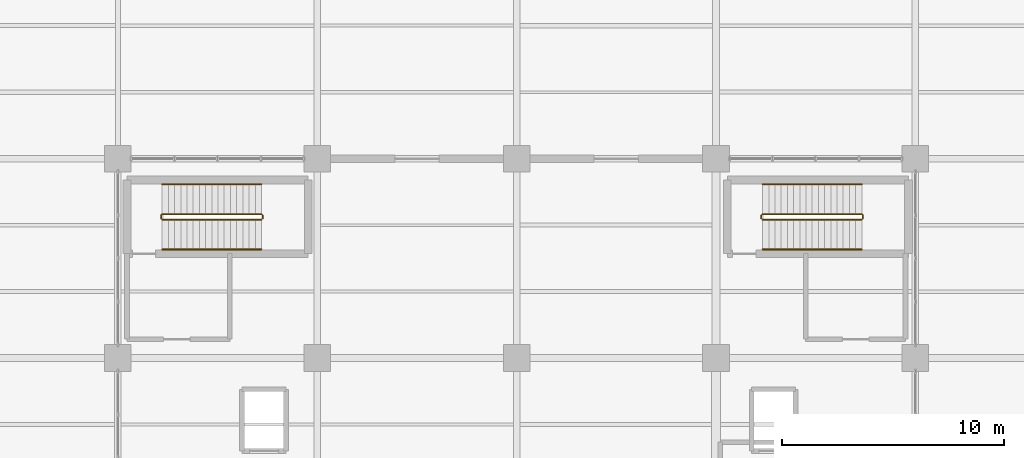
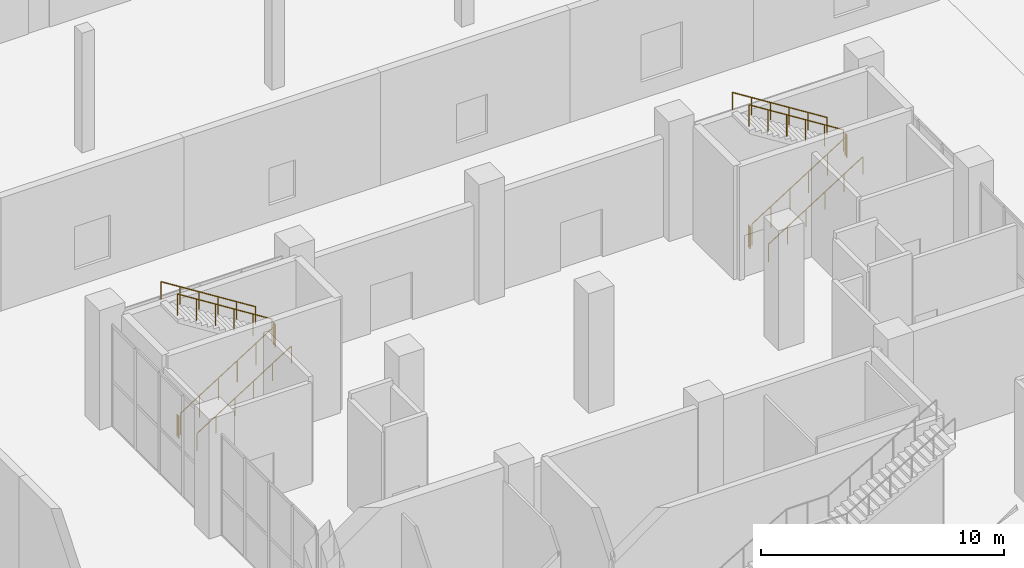
# One storey, part 141 of 144: 12 railings.
"""IFC4 building model written with IfcOpenShell, lengths in metres."""

from ifc_helpers import new_model, si_unit, direction, frame, origin, origin_2d, place, context, subcontext, project, spatial, circle, extrude, material, type_object, element, save


model = new_model("IFC4")

# Units and contexts
model_context = context("Model", 3, precision=1e-05, world=origin(), true_north=direction((0.0, 1.0)))
body_context = subcontext(model_context, "Body", "Model", "MODEL_VIEW")
ifc_project = project(units=[si_unit("LENGTHUNIT", "METRE"), si_unit("AREAUNIT", "SQUARE_METRE"), si_unit("VOLUMEUNIT", "CUBIC_METRE"), si_unit("PLANEANGLEUNIT", "RADIAN"), si_unit("MASSUNIT", "GRAM", prefix="KILO")], contexts=[model_context])

# Site, building, storey
site_placement = place(None, origin())
site = spatial("IfcSite", under=ifc_project, at=site_placement, CompositionType="ELEMENT")
building_placement = place(site_placement, origin())
building = spatial("IfcBuilding", under=site, at=building_placement, Name="Sundgate Opera House", CompositionType="ELEMENT")
storey_placement = place(building_placement, origin())
storey = spatial("IfcBuildingStorey", under=building, at=storey_placement, Name="L00", CompositionType="ELEMENT", Elevation=0.0)

# Railings
ifc_material_1 = material(Name="Painted steel S275 guardrail", Category="steel")
railing_type_1 = type_object("IfcRailingType", Name="RL-STAIR-GUARD-1100", PredefinedType="GUARDRAIL", material=ifc_material_1)
railing_1_placement = place(storey_placement, frame((38.0, 75.25, 0.176513671875)))
element("IfcRailing", 1, at=railing_1_placement, inside=storey, type_object=railing_type_1, Name="ST02L00 Guardrail RL0053", PredefinedType="GUARDRAIL", context=body_context, shape_type="SweptSolid", body=[
    extrude(circle(Radius=0.02392578125, at=origin_2d()), frame((0.0, 0.0, 1.076171875), z_axis=(0.845997938375, 0.0, 0.533186166611), x_axis=(0.0, 1.0, 0.0)), (0.0, 0.0, 1.0), 5.29541015625),
    extrude(circle(Radius=0.02099609375, at=origin_2d()), origin(), (0.0, 0.0, 1.0), 1.052001953125),
    extrude(circle(Radius=0.02099609375, at=origin_2d()), frame((0.89599609375, 0.0, 0.564697265625)), (0.0, 0.0, 1.0), 1.052001953125),
    extrude(circle(Radius=0.02099609375, at=origin_2d()), frame((1.7919921875, 0.0, 1.12939453125)), (0.0, 0.0, 1.0), 1.052001953125),
    extrude(circle(Radius=0.02099609375, at=origin_2d()), frame((2.68798828125, 0.0, 1.694091796875)), (0.0, 0.0, 1.0), 1.052001953125),
    extrude(circle(Radius=0.02099609375, at=origin_2d()), frame((3.583984375, 0.0, 2.2587890625)), (0.0, 0.0, 1.0), 1.052001953125),
    extrude(circle(Radius=0.02099609375, at=origin_2d()), frame((4.47998046875, 0.0, 2.823486328125)), (0.0, 0.0, 1.0), 1.052001953125),
])
railing_2_placement = place(storey_placement, frame((42.530029296875, 75.300048828125, 3.0)))
element("IfcRailing", 2, at=railing_2_placement, inside=storey, type_object=railing_type_1, Name="ST02L00 Guardrail RL0054", PredefinedType="GUARDRAIL", context=body_context, shape_type="SweptSolid", body=[
    extrude(circle(Radius=0.02392578125, at=origin_2d()), frame((0.0, 0.0, 1.076171875), z_axis=(0.0, 1.0, 0.0), x_axis=(-1.0, 0.0, 0.0)), (0.0, 0.0, 1.0), 0.14990234375),
    extrude(circle(Radius=0.02099609375, at=origin_2d()), origin(), (0.0, 0.0, 1.0), 1.052001953125),
    extrude(circle(Radius=0.02099609375, at=origin_2d()), frame((0.0, 0.14990234375, 0.0)), (0.0, 0.0, 1.0), 1.052001953125),
])
railing_3_placement = place(storey_placement, frame((42.47998046875, 75.5, 3.176513671875)))
element("IfcRailing", 3, at=railing_3_placement, inside=storey, type_object=railing_type_1, Name="ST02L00 Guardrail RL0055", PredefinedType="GUARDRAIL", context=body_context, shape_type="SweptSolid", body=[
    extrude(circle(Radius=0.02392578125, at=origin_2d()), frame((0.0, 0.0, 1.076171875), z_axis=(-0.845997938375, 0.0, 0.533186166611), x_axis=(0.0, -1.0, 0.0)), (0.0, 0.0, 1.0), 5.29541015625),
    extrude(circle(Radius=0.02099609375, at=origin_2d()), origin(), (0.0, 0.0, 1.0), 1.052001953125),
    extrude(circle(Radius=0.02099609375, at=origin_2d()), frame((-0.89599609375, 0.0, 0.564697265625)), (0.0, 0.0, 1.0), 1.052001953125),
    extrude(circle(Radius=0.02099609375, at=origin_2d()), frame((-1.7919921875, 0.0, 1.12939453125)), (0.0, 0.0, 1.0), 1.052001953125),
    extrude(circle(Radius=0.02099609375, at=origin_2d()), frame((-2.68798828125, 0.0, 1.694091796875)), (0.0, 0.0, 1.0), 1.052001953125),
    extrude(circle(Radius=0.02099609375, at=origin_2d()), frame((-3.583984375, 0.0, 2.2587890625)), (0.0, 0.0, 1.0), 1.052001953125),
    extrude(circle(Radius=0.02099609375, at=origin_2d()), frame((-4.47998046875, 0.0, 2.823486328125)), (0.0, 0.0, 1.0), 1.052001953125),
])
railing_4_placement = place(storey_placement, frame((37.949951171875, 75.300048828125, 0.0)))
element("IfcRailing", 4, at=railing_4_placement, inside=storey, type_object=railing_type_1, Name="ST02L00 Guardrail RL0056", PredefinedType="GUARDRAIL", context=body_context, shape_type="SweptSolid", body=[
    extrude(circle(Radius=0.02392578125, at=origin_2d()), frame((0.0, 0.0, 1.076171875), z_axis=(0.0, 1.0, 0.0), x_axis=(-1.0, 0.0, 0.0)), (0.0, 0.0, 1.0), 0.14990234375),
    extrude(circle(Radius=0.02099609375, at=origin_2d()), origin(), (0.0, 0.0, 1.0), 1.052001953125),
    extrude(circle(Radius=0.02099609375, at=origin_2d()), frame((0.0, 0.14990234375, 0.0)), (0.0, 0.0, 1.0), 1.052001953125),
])
railing_5_placement = place(storey_placement, frame((65.10009765625, 75.25, 0.176513671875)))
element("IfcRailing", 5, at=railing_5_placement, inside=storey, type_object=railing_type_1, Name="ST04L00 Guardrail RL0139", PredefinedType="GUARDRAIL", context=body_context, shape_type="SweptSolid", body=[
    extrude(circle(Radius=0.02392578125, at=origin_2d()), frame((0.0, 0.0, 1.076171875), z_axis=(0.845997938375, 0.0, 0.533186166611), x_axis=(0.0, 1.0, 0.0)), (0.0, 0.0, 1.0), 5.29541015625),
    extrude(circle(Radius=0.02099609375, at=origin_2d()), origin(), (0.0, 0.0, 1.0), 1.052001953125),
    extrude(circle(Radius=0.02099609375, at=origin_2d()), frame((0.89599609375, 0.0, 0.564697265625)), (0.0, 0.0, 1.0), 1.052001953125),
    extrude(circle(Radius=0.02099609375, at=origin_2d()), frame((1.7919921875, 0.0, 1.12939453125)), (0.0, 0.0, 1.0), 1.052001953125),
    extrude(circle(Radius=0.02099609375, at=origin_2d()), frame((2.68798828125, 0.0, 1.694091796875)), (0.0, 0.0, 1.0), 1.052001953125),
    extrude(circle(Radius=0.02099609375, at=origin_2d()), frame((3.583984375, 0.0, 2.2587890625)), (0.0, 0.0, 1.0), 1.052001953125),
    extrude(circle(Radius=0.02099609375, at=origin_2d()), frame((4.47998046875, 0.0, 2.823486328125)), (0.0, 0.0, 1.0), 1.052001953125),
])
railing_6_placement = place(storey_placement, frame((69.6298828125, 75.300048828125, 3.0)))
element("IfcRailing", 6, at=railing_6_placement, inside=storey, type_object=railing_type_1, Name="ST04L00 Guardrail RL0140", PredefinedType="GUARDRAIL", context=body_context, shape_type="SweptSolid", body=[
    extrude(circle(Radius=0.02392578125, at=origin_2d()), frame((0.0, 0.0, 1.076171875), z_axis=(0.0, 1.0, 0.0), x_axis=(-1.0, 0.0, 0.0)), (0.0, 0.0, 1.0), 0.14990234375),
    extrude(circle(Radius=0.02099609375, at=origin_2d()), origin(), (0.0, 0.0, 1.0), 1.052001953125),
    extrude(circle(Radius=0.02099609375, at=origin_2d()), frame((0.0, 0.14990234375, 0.0)), (0.0, 0.0, 1.0), 1.052001953125),
])
railing_7_placement = place(storey_placement, frame((69.580078125, 75.5, 3.176513671875)))
element("IfcRailing", 7, at=railing_7_placement, inside=storey, type_object=railing_type_1, Name="ST04L00 Guardrail RL0141", PredefinedType="GUARDRAIL", context=body_context, shape_type="SweptSolid", body=[
    extrude(circle(Radius=0.02392578125, at=origin_2d()), frame((0.0, 0.0, 1.076171875), z_axis=(-0.845997938375, 0.0, 0.533186166611), x_axis=(0.0, -1.0, 0.0)), (0.0, 0.0, 1.0), 5.29541015625),
    extrude(circle(Radius=0.02099609375, at=origin_2d()), origin(), (0.0, 0.0, 1.0), 1.052001953125),
    extrude(circle(Radius=0.02099609375, at=origin_2d()), frame((-0.89599609375, 0.0, 0.564697265625)), (0.0, 0.0, 1.0), 1.052001953125),
    extrude(circle(Radius=0.02099609375, at=origin_2d()), frame((-1.7919921875, 0.0, 1.12939453125)), (0.0, 0.0, 1.0), 1.052001953125),
    extrude(circle(Radius=0.02099609375, at=origin_2d()), frame((-2.68798828125, 0.0, 1.694091796875)), (0.0, 0.0, 1.0), 1.052001953125),
    extrude(circle(Radius=0.02099609375, at=origin_2d()), frame((-3.583984375, 0.0, 2.2587890625)), (0.0, 0.0, 1.0), 1.052001953125),
    extrude(circle(Radius=0.02099609375, at=origin_2d()), frame((-4.47998046875, 0.0, 2.823486328125)), (0.0, 0.0, 1.0), 1.052001953125),
])
railing_8_placement = place(storey_placement, frame((65.050048828125, 75.300048828125, 0.0)))
element("IfcRailing", 8, at=railing_8_placement, inside=storey, type_object=railing_type_1, Name="ST04L00 Guardrail RL0142", PredefinedType="GUARDRAIL", context=body_context, shape_type="SweptSolid", body=[
    extrude(circle(Radius=0.02392578125, at=origin_2d()), frame((0.0, 0.0, 1.076171875), z_axis=(0.0, 1.0, 0.0), x_axis=(-1.0, 0.0, 0.0)), (0.0, 0.0, 1.0), 0.14990234375),
    extrude(circle(Radius=0.02099609375, at=origin_2d()), origin(), (0.0, 0.0, 1.0), 1.052001953125),
    extrude(circle(Radius=0.02099609375, at=origin_2d()), frame((0.0, 0.14990234375, 0.0)), (0.0, 0.0, 1.0), 1.052001953125),
])
ifc_material_2 = material(Name="Brushed stainless steel handrail", Category="steel")
railing_type_2 = type_object("IfcRailingType", Name="RL-STAIR-HAND-900", PredefinedType="HANDRAIL", material=ifc_material_2)
railing_9_placement = place(storey_placement, frame((38.0, 73.89990234375, 0.176513671875)))
element("IfcRailing", 9, at=railing_9_placement, inside=storey, type_object=railing_type_2, Name="ST02L00 Handrail RL0057", PredefinedType="HANDRAIL", context=body_context, shape_type="SweptSolid", body=[
    extrude(circle(Radius=0.02392578125, at=origin_2d()), frame((0.0, 0.0, 0.8759765625), z_axis=(0.845997938375, 0.0, 0.533186166611), x_axis=(0.0, 1.0, 0.0)), (0.0, 0.0, 1.0), 5.29541015625),
    extrude(circle(Radius=0.02099609375, at=origin_2d()), origin(), (0.0, 0.0, 1.0), 0.851806640625),
    extrude(circle(Radius=0.02099609375, at=origin_2d()), frame((0.89599609375, 0.0, 0.564697265625)), (0.0, 0.0, 1.0), 0.851806640625),
    extrude(circle(Radius=0.02099609375, at=origin_2d()), frame((1.7919921875, 0.0, 1.12939453125)), (0.0, 0.0, 1.0), 0.851806640625),
    extrude(circle(Radius=0.02099609375, at=origin_2d()), frame((2.68798828125, 0.0, 1.694091796875)), (0.0, 0.0, 1.0), 0.851806640625),
    extrude(circle(Radius=0.02099609375, at=origin_2d()), frame((3.583984375, 0.0, 2.2587890625)), (0.0, 0.0, 1.0), 0.851806640625),
    extrude(circle(Radius=0.02099609375, at=origin_2d()), frame((4.47998046875, 0.0, 2.823486328125)), (0.0, 0.0, 1.0), 0.851806640625),
])
railing_10_placement = place(storey_placement, frame((42.47998046875, 76.85009765625, 3.176513671875)))
element("IfcRailing", 10, at=railing_10_placement, inside=storey, type_object=railing_type_2, Name="ST02L00 Handrail RL0058", PredefinedType="HANDRAIL", context=body_context, shape_type="SweptSolid", body=[
    extrude(circle(Radius=0.02392578125, at=origin_2d()), frame((0.0, 0.0, 0.8759765625), z_axis=(-0.845997938375, 0.0, 0.533186166611), x_axis=(0.0, -1.0, 0.0)), (0.0, 0.0, 1.0), 5.29541015625),
    extrude(circle(Radius=0.02099609375, at=origin_2d()), origin(), (0.0, 0.0, 1.0), 0.851806640625),
    extrude(circle(Radius=0.02099609375, at=origin_2d()), frame((-0.89599609375, 0.0, 0.564697265625)), (0.0, 0.0, 1.0), 0.851806640625),
    extrude(circle(Radius=0.02099609375, at=origin_2d()), frame((-1.7919921875, 0.0, 1.12939453125)), (0.0, 0.0, 1.0), 0.851806640625),
    extrude(circle(Radius=0.02099609375, at=origin_2d()), frame((-2.68798828125, 0.0, 1.694091796875)), (0.0, 0.0, 1.0), 0.851806640625),
    extrude(circle(Radius=0.02099609375, at=origin_2d()), frame((-3.583984375, 0.0, 2.2587890625)), (0.0, 0.0, 1.0), 0.851806640625),
    extrude(circle(Radius=0.02099609375, at=origin_2d()), frame((-4.47998046875, 0.0, 2.823486328125)), (0.0, 0.0, 1.0), 0.851806640625),
])
railing_11_placement = place(storey_placement, frame((65.10009765625, 73.89990234375, 0.176513671875)))
element("IfcRailing", 11, at=railing_11_placement, inside=storey, type_object=railing_type_2, Name="ST04L00 Handrail RL0143", PredefinedType="HANDRAIL", context=body_context, shape_type="SweptSolid", body=[
    extrude(circle(Radius=0.02392578125, at=origin_2d()), frame((0.0, 0.0, 0.8759765625), z_axis=(0.845997938375, 0.0, 0.533186166611), x_axis=(0.0, 1.0, 0.0)), (0.0, 0.0, 1.0), 5.29541015625),
    extrude(circle(Radius=0.02099609375, at=origin_2d()), origin(), (0.0, 0.0, 1.0), 0.851806640625),
    extrude(circle(Radius=0.02099609375, at=origin_2d()), frame((0.89599609375, 0.0, 0.564697265625)), (0.0, 0.0, 1.0), 0.851806640625),
    extrude(circle(Radius=0.02099609375, at=origin_2d()), frame((1.7919921875, 0.0, 1.12939453125)), (0.0, 0.0, 1.0), 0.851806640625),
    extrude(circle(Radius=0.02099609375, at=origin_2d()), frame((2.68798828125, 0.0, 1.694091796875)), (0.0, 0.0, 1.0), 0.851806640625),
    extrude(circle(Radius=0.02099609375, at=origin_2d()), frame((3.583984375, 0.0, 2.2587890625)), (0.0, 0.0, 1.0), 0.851806640625),
    extrude(circle(Radius=0.02099609375, at=origin_2d()), frame((4.47998046875, 0.0, 2.823486328125)), (0.0, 0.0, 1.0), 0.851806640625),
])
railing_12_placement = place(storey_placement, frame((69.580078125, 76.85009765625, 3.176513671875)))
element("IfcRailing", 12, at=railing_12_placement, inside=storey, type_object=railing_type_2, Name="ST04L00 Handrail RL0144", PredefinedType="HANDRAIL", context=body_context, shape_type="SweptSolid", body=[
    extrude(circle(Radius=0.02392578125, at=origin_2d()), frame((0.0, 0.0, 0.8759765625), z_axis=(-0.845997938375, 0.0, 0.533186166611), x_axis=(0.0, -1.0, 0.0)), (0.0, 0.0, 1.0), 5.29541015625),
    extrude(circle(Radius=0.02099609375, at=origin_2d()), origin(), (0.0, 0.0, 1.0), 0.851806640625),
    extrude(circle(Radius=0.02099609375, at=origin_2d()), frame((-0.89599609375, 0.0, 0.564697265625)), (0.0, 0.0, 1.0), 0.851806640625),
    extrude(circle(Radius=0.02099609375, at=origin_2d()), frame((-1.7919921875, 0.0, 1.12939453125)), (0.0, 0.0, 1.0), 0.851806640625),
    extrude(circle(Radius=0.02099609375, at=origin_2d()), frame((-2.68798828125, 0.0, 1.694091796875)), (0.0, 0.0, 1.0), 0.851806640625),
    extrude(circle(Radius=0.02099609375, at=origin_2d()), frame((-3.583984375, 0.0, 2.2587890625)), (0.0, 0.0, 1.0), 0.851806640625),
    extrude(circle(Radius=0.02099609375, at=origin_2d()), frame((-4.47998046875, 0.0, 2.823486328125)), (0.0, 0.0, 1.0), 0.851806640625),
])

save(model, "model.ifc")
